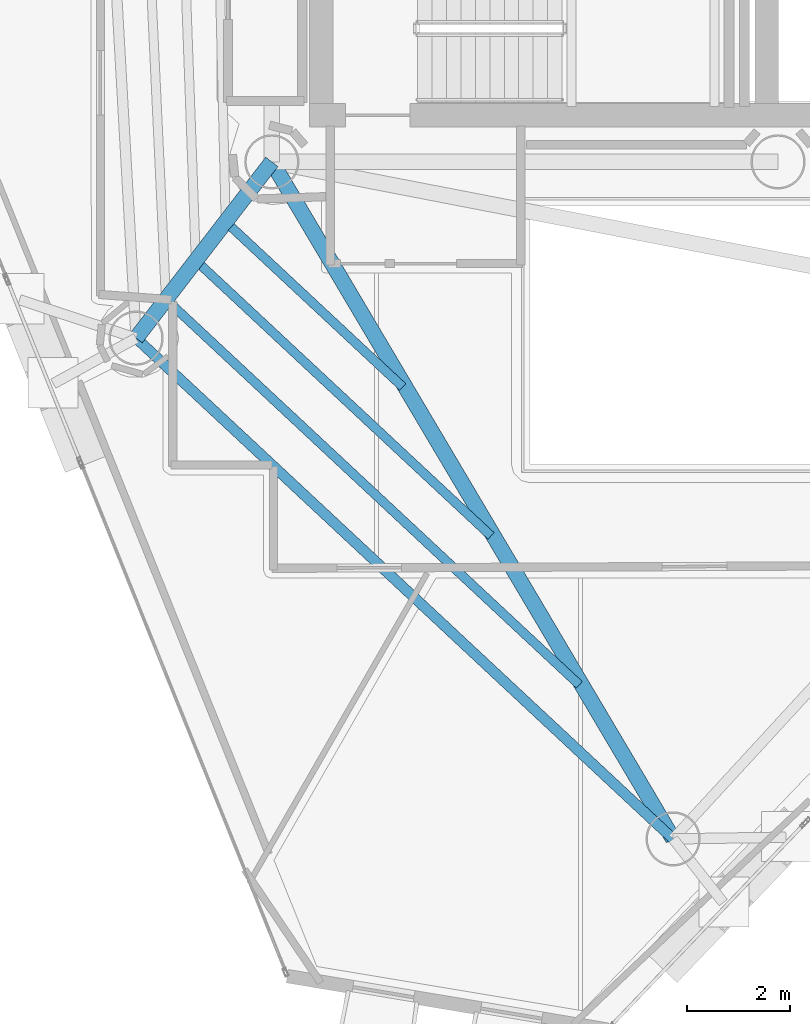
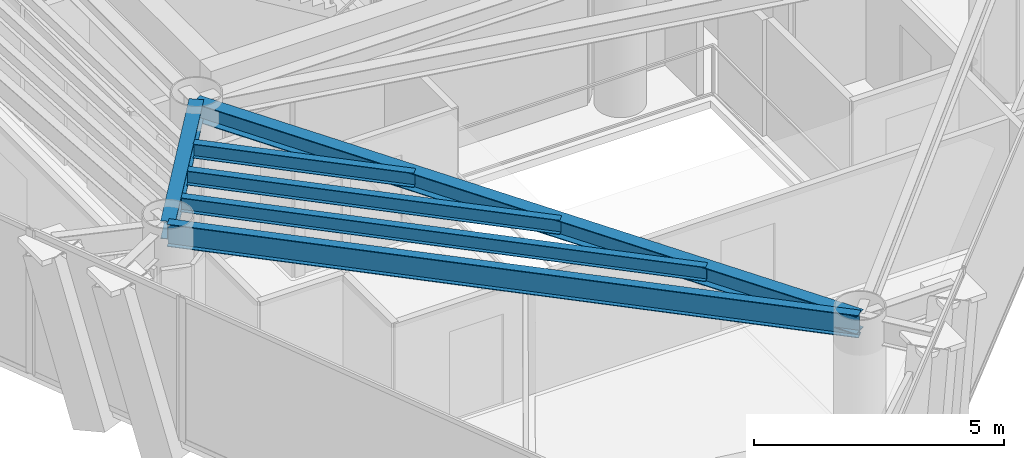
# One storey, part 3 of 21: 6 beams.
"""IFC4 building model written with IfcOpenShell, lengths in metres."""

from ifc_helpers import new_model, si_unit, direction, frame, origin, origin_2d, place, context, subcontext, project, spatial, i_section, extrude, material, material_profile, profile_set, type_object, element, save


model = new_model("IFC4")

# Units and contexts
model_context = context("Model", 3, precision=1e-05, world=origin(), true_north=direction((0.0, 1.0)))
body_context = subcontext(model_context, "Body", "Model", "MODEL_VIEW")
ifc_project = project(units=[si_unit("LENGTHUNIT", "METRE"), si_unit("AREAUNIT", "SQUARE_METRE"), si_unit("VOLUMEUNIT", "CUBIC_METRE"), si_unit("PLANEANGLEUNIT", "RADIAN"), si_unit("MASSUNIT", "GRAM", prefix="KILO")], contexts=[model_context])

# Site, building, storey
site_placement = place(None, origin())
site = spatial("IfcSite", under=ifc_project, at=site_placement, CompositionType="ELEMENT")
building_placement = place(site_placement, origin())
building = spatial("IfcBuilding", under=site, at=building_placement, Name="Qianvela Tower", CompositionType="ELEMENT")
storey_placement = place(building_placement, frame((0.0, 0.0, 242.699951171875)))
storey = spatial("IfcBuildingStorey", under=building, at=storey_placement, Name="L62", CompositionType="ELEMENT", Elevation=242.699951171875)

# Beams
ifc_material_1 = material(Name="Steel Q355B", Category="steel")
ifc_material_profile_1 = material_profile(ifc_material_1, i_section(OverallWidth=0.300048828125, OverallDepth=0.43994140625, WebThickness=0.010986328125, FlangeThickness=0.01806640625, at=origin_2d()), Name="HM440x300x11x18")
ifc_profile_set_1 = profile_set([ifc_material_profile_1], Name="Steel Q355B")
beam_type_1 = type_object("IfcBeamType", Name="BM-HM440-COLL", PredefinedType="BEAM", material=ifc_profile_set_1)
beam_1_placement = place(storey_placement, frame((28.60009765625, 23.85009765625, 3.298095703125), z_axis=(-0.610107831638, -0.792318391667, 0.0), x_axis=(0.792318391667, -0.610107831638, 0.0)))
element("IfcBeam", 1, at=beam_1_placement, inside=storey, type_object=beam_type_1, Name="L62 Radial Primary Floor Girder 4", PredefinedType="BEAM", context=body_context, shape_type="SweptSolid", body=[
    extrude(i_section(OverallWidth=0.300048828125, OverallDepth=0.43994140625, WebThickness=0.010986328125, FlangeThickness=0.01806640625, at=origin_2d()), origin(), (0.0, 0.0, 1.0), 4.3076171875),
])
beam_2_placement = place(storey_placement, frame((28.60009765625, 23.85009765625, 3.298095703125), z_axis=(0.509851140096, -0.860262643001, 0.0), x_axis=(0.860262643001, 0.509851140096, 0.0)))
element("IfcBeam", 2, at=beam_2_placement, inside=storey, type_object=beam_type_1, Name="L62 Radial Primary Floor Girder 5", PredefinedType="BEAM", context=body_context, shape_type="SweptSolid", body=[
    extrude(i_section(OverallWidth=0.300048828125, OverallDepth=0.43994140625, WebThickness=0.010986328125, FlangeThickness=0.01806640625, at=origin_2d()), origin(), (0.0, 0.0, 1.0), 15.2373046875),
])
ifc_material_2 = material(Name="Steel Q355B", Category="steel")
ifc_material_profile_2 = material_profile(ifc_material_2, i_section(OverallWidth=0.175048828125, OverallDepth=0.35009765625, WebThickness=0.007080078125, FlangeThickness=0.010986328125, at=origin_2d()), Name="HN350x175x7x11")
ifc_profile_set_2 = profile_set([ifc_material_profile_2], Name="Steel Q355B")
beam_type_2 = type_object("IfcBeamType", Name="BM-HN350-JOIST", PredefinedType="JOIST", material=ifc_profile_set_2)
beam_3_placement = place(storey_placement, frame((27.813232421875, 22.590087890625, 3.343017578125), z_axis=(0.731376968526, -0.681973408506, 0.0), x_axis=(0.681973408506, 0.731376968526, 0.0)))
element("IfcBeam", 3, at=beam_3_placement, inside=storey, type_object=beam_type_2, Name="L62 Secondary Composite Floor Joist 4.1", PredefinedType="JOIST", context=body_context, shape_type="SweptSolid", body=[
    extrude(i_section(OverallWidth=0.175048828125, OverallDepth=0.35009765625, WebThickness=0.007080078125, FlangeThickness=0.010986328125, at=origin_2d()), origin(), (0.0, 0.0, 1.0), 4.54150390625),
])
beam_4_placement = place(storey_placement, frame((27.235107421875, 21.839111328125, 3.343017578125), z_axis=(0.731379132366, -0.681971087906, 0.0), x_axis=(0.681971087906, 0.731379132366, 0.0)))
element("IfcBeam", 4, at=beam_4_placement, inside=storey, type_object=beam_type_2, Name="L62 Secondary Composite Floor Joist 4.2", PredefinedType="JOIST", context=body_context, shape_type="SweptSolid", body=[
    extrude(i_section(OverallWidth=0.175048828125, OverallDepth=0.35009765625, WebThickness=0.007080078125, FlangeThickness=0.010986328125, at=origin_2d()), origin(), (0.0, 0.0, 1.0), 7.6689453125),
])
beam_5_placement = place(storey_placement, frame((26.656982421875, 21.08837890625, 3.343017578125), z_axis=(0.731358246127, -0.681993486641, 0.0), x_axis=(0.681993486641, 0.731358246127, 0.0)))
element("IfcBeam", 5, at=beam_5_placement, inside=storey, type_object=beam_type_2, Name="L62 Secondary Composite Floor Joist 4.3", PredefinedType="JOIST", context=body_context, shape_type="SweptSolid", body=[
    extrude(i_section(OverallWidth=0.175048828125, OverallDepth=0.35009765625, WebThickness=0.007080078125, FlangeThickness=0.010986328125, at=origin_2d()), origin(), (0.0, 0.0, 1.0), 10.79638671875),
])
ifc_material_3 = material(Name="Steel Q355B", Category="steel")
ifc_material_profile_3 = material_profile(ifc_material_3, i_section(OverallWidth=0.199951171875, OverallDepth=0.550048828125, WebThickness=0.010009765625, FlangeThickness=0.01611328125, at=origin_2d()), Name="HN550x200x10x16")
ifc_profile_set_3 = profile_set([ifc_material_profile_3], Name="Steel Q355B")
beam_type_3 = type_object("IfcBeamType", Name="BM-HN550-GIRD", PredefinedType="BEAM", material=ifc_profile_set_3)
beam_6_placement = place(storey_placement, frame((25.971923828125, 20.43701171875, 3.2431640625), z_axis=(0.731363016694, -0.681988370731, 0.0), x_axis=(0.681988370731, 0.731363016694, 0.0)))
element("IfcBeam", 6, at=beam_6_placement, inside=storey, type_object=beam_type_3, Name="L62 Perimeter Ring Spandrel Girder 4", PredefinedType="BEAM", context=body_context, shape_type="SweptSolid", body=[
    extrude(i_section(OverallWidth=0.199951171875, OverallDepth=0.550048828125, WebThickness=0.010009765625, FlangeThickness=0.01611328125, at=origin_2d()), origin(), (0.0, 0.0, 1.0), 14.2158203125),
])

save(model, "model.ifc")
